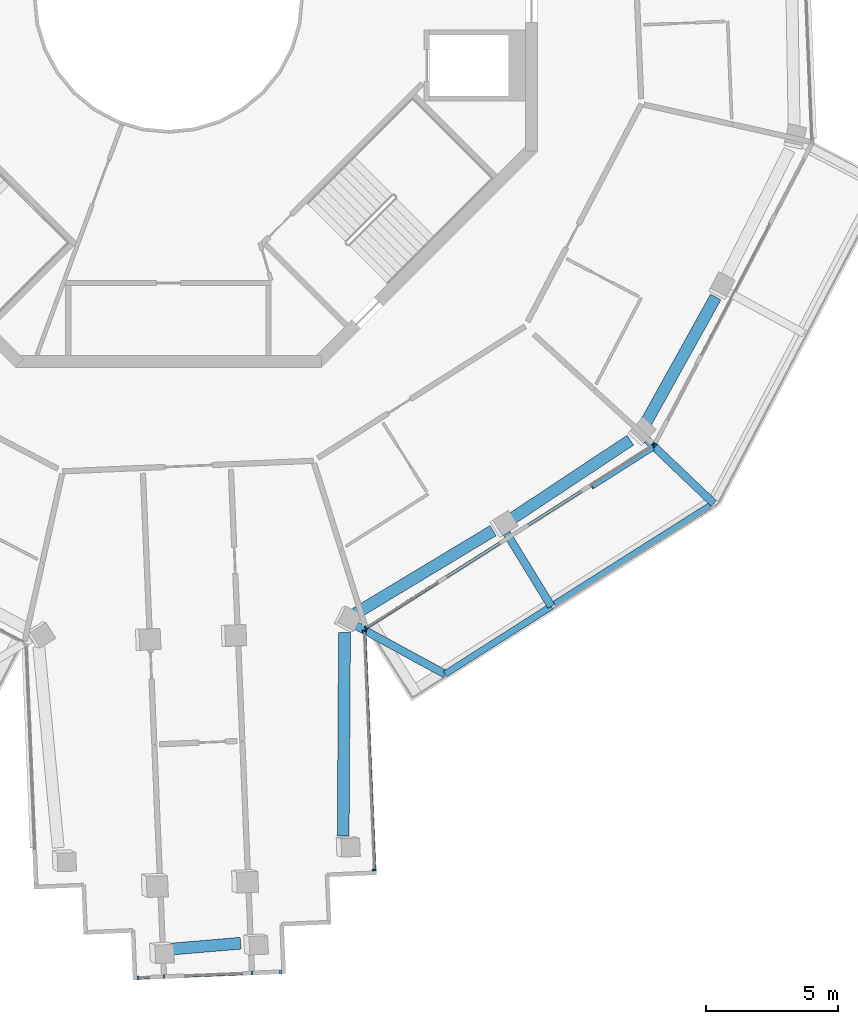
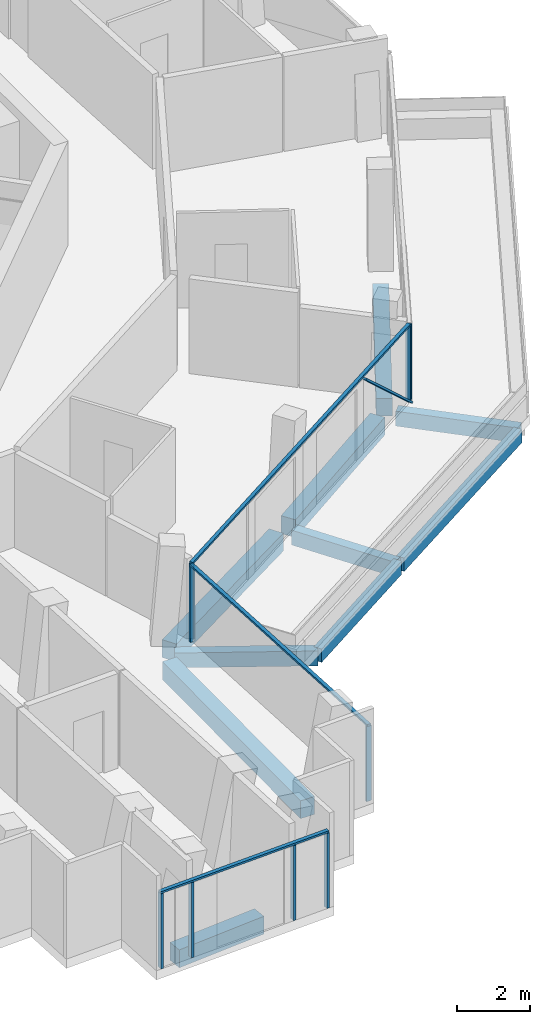
# One storey, part 3 of 23: 13 members, 10 beams, 4 elements without a shape of their own.
"""IFC4 building model written with IfcOpenShell, lengths in metres."""

from ifc_helpers import new_model, si_unit, direction, frame, origin, origin_2d, place, context, subcontext, project, spatial, rectangle, extrude, material, layer, layer_set, material_profile, profile_set, type_object, element, aggregate, save


model = new_model("IFC4")

# Units and contexts
model_context = context("Model", 3, precision=1e-05, world=origin(), true_north=direction((0.0, 1.0)))
body_context = subcontext(model_context, "Body", "Model", "MODEL_VIEW")
ifc_project = project(units=[si_unit("LENGTHUNIT", "METRE"), si_unit("AREAUNIT", "SQUARE_METRE"), si_unit("VOLUMEUNIT", "CUBIC_METRE"), si_unit("PLANEANGLEUNIT", "RADIAN"), si_unit("MASSUNIT", "GRAM", prefix="KILO")], contexts=[model_context])

# Site, building, storey
site_placement = place(None, origin())
site = spatial("IfcSite", under=ifc_project, at=site_placement, CompositionType="ELEMENT")
building_placement = place(site_placement, origin())
building = spatial("IfcBuilding", under=site, at=building_placement, Name="Verdalira Terraces Hotel", CompositionType="ELEMENT")
storey_placement = place(building_placement, frame((0.0, 0.0, 288.0)))
storey = spatial("IfcBuildingStorey", under=building, at=storey_placement, Name="L71", CompositionType="ELEMENT", Elevation=288.0)

# Beams
ifc_material_1 = material(Name="Concrete C40", Category="concrete")
ifc_material_profile_1 = material_profile(ifc_material_1, rectangle(XDim=0.300049, YDim=0.5, at=origin_2d()), Name="RC 300X500")
ifc_profile_set_1 = profile_set([ifc_material_profile_1], Name="Concrete C40")
beam_type_1 = type_object("IfcBeamType", Name="Balcony cantilever beam RC 300X500 C40", PredefinedType="BEAM", material=ifc_profile_set_1)
beam_1_placement = place(storey_placement, frame((7.025146, -23.746094, -0.560059), z_axis=(0.878322746, -0.478068147, 0.0), x_axis=(0.478068147, 0.878322746, 0.0)))
element("IfcBeam", 1, at=beam_1_placement, inside=storey, type_object=beam_type_1, Name="Balcony cantilever beam R25-1", PredefinedType="BEAM", context=body_context, shape_type="SweptSolid", body=[
    extrude(rectangle(XDim=0.300049, YDim=0.5, at=origin_2d()), origin(), (0.0, 0.0, 1.0), 3.950195),
])
beam_2_placement = place(storey_placement, frame((12.82959, -20.29248, -0.560059), z_axis=(0.521568477, -0.853209426, 0.0), x_axis=(0.853209426, 0.521568477, 0.0)))
element("IfcBeam", 2, at=beam_2_placement, inside=storey, type_object=beam_type_1, Name="Balcony cantilever beam R25-2", PredefinedType="BEAM", context=body_context, shape_type="SweptSolid", body=[
    extrude(rectangle(XDim=0.300049, YDim=0.5, at=origin_2d()), origin(), (0.0, 0.0, 1.0), 3.250977),
])
beam_3_placement = place(storey_placement, frame((18.151367, -16.748047, -0.560059), z_axis=(0.724659944, -0.689106643, 0.0), x_axis=(0.689106643, 0.724659944, 0.0)))
element("IfcBeam", 3, at=beam_3_placement, inside=storey, type_object=beam_type_1, Name="Balcony cantilever beam R25-3", PredefinedType="BEAM", context=body_context, shape_type="SweptSolid", body=[
    extrude(rectangle(XDim=0.300049, YDim=0.5, at=origin_2d()), origin(), (0.0, 0.0, 1.0), 3.502197),
])
ifc_material_2 = material(Name="Concrete C40", Category="concrete")
ifc_material_profile_2 = material_profile(ifc_material_2, rectangle(XDim=0.25, YDim=0.449951, at=origin_2d()), Name="RC 250X450")
ifc_profile_set_2 = profile_set([ifc_material_profile_2], Name="Concrete C40")
beam_type_2 = type_object("IfcBeamType", Name="Balcony edge beam RC 250X450 C40", PredefinedType="BEAM", material=ifc_profile_set_2)
beam_4_placement = place(storey_placement, frame((10.494629, -25.634521, -0.534912), z_axis=(0.843331091, 0.537394335, 0.0), x_axis=(-0.537394335, 0.843331091, 0.0)))
element("IfcBeam", 4, at=beam_4_placement, inside=storey, type_object=beam_type_2, Name="Balcony edge beam R25-1", PredefinedType="BEAM", context=body_context, shape_type="SweptSolid", body=[
    extrude(rectangle(XDim=0.25, YDim=0.449951, at=origin_2d()), origin(), (0.0, 0.0, 1.0), 4.779297),
])
beam_5_placement = place(storey_placement, frame((14.651855, -22.98584, -0.534912), z_axis=(0.844769618, 0.535130163, 0.0), x_axis=(-0.535130163, 0.844769618, 0.0)))
element("IfcBeam", 5, at=beam_5_placement, inside=storey, type_object=beam_type_2, Name="Balcony edge beam R25-2", PredefinedType="BEAM", context=body_context, shape_type="SweptSolid", body=[
    extrude(rectangle(XDim=0.25, YDim=0.449951, at=origin_2d()), origin(), (0.0, 0.0, 1.0), 6.992188),
])

# Curtain wall, members
ifc_material_3 = material(Name="Clear glass", Category="glass")
ifc_layer_1 = layer(ifc_material_3, 0.14990234375)
ifc_layer_set_1 = layer_set([ifc_layer_1], Name="CW1 curtain wall")
curtain_wall_type_1 = type_object("IfcCurtainWallType", Name="CW1 curtain wall", PredefinedType="NOTDEFINED", material=ifc_layer_set_1)
curtain_wall_1_placement = place(storey_placement, origin())
curtain_wall_1 = element("IfcCurtainWall", 6, at=curtain_wall_1_placement, inside=storey, type_object=curtain_wall_type_1, Name="CW1 curtain wall L71 edge 25", PredefinedType="NOTDEFINED")
ifc_material_4 = material(Name="Terracotta frame", Category="masonry")
ifc_material_profile_3 = material_profile(ifc_material_4, rectangle(XDim=0.060059, YDim=0.149902, at=origin_2d()), Name="MU 60x150")
ifc_profile_set_3 = profile_set([ifc_material_profile_3], Name="Terracotta frame")
member_type_1 = type_object("IfcMemberType", Name="CW1 mullion 60x150", PredefinedType="MULLION", material=ifc_profile_set_3)
member_1_placement = place(storey_placement, frame((7.495361, -23.885498, 0.0), z_axis=(0.0, 0.0, 1.0), x_axis=(0.844327926, 0.535826795, 0.0)))
member_1 = element("IfcMember", 7, at=member_1_placement, type_object=member_type_1, Name="CW1 mullion", PredefinedType="MULLION", context=body_context, shape_type="SweptSolid", body=[
    extrude(rectangle(XDim=0.060059, YDim=0.149902, at=origin_2d()), origin(), (0.0, 0.0, 1.0), 2.524902),
])
member_2_placement = place(storey_placement, frame((18.386963, -16.973389, 0.0), z_axis=(0.0, 0.0, 1.0), x_axis=(0.844327926, 0.535826795, 0.0)))
member_2 = element("IfcMember", 8, at=member_2_placement, type_object=member_type_1, Name="CW1 mullion", PredefinedType="MULLION", context=body_context, shape_type="SweptSolid", body=[
    extrude(rectangle(XDim=0.060059, YDim=0.149902, at=origin_2d()), origin(), (0.0, 0.0, 1.0), 2.524902),
])

# Curtain wall, member
curtain_wall_2_placement = place(storey_placement, origin())
curtain_wall_2 = element("IfcCurtainWall", 9, at=curtain_wall_2_placement, inside=storey, type_object=curtain_wall_type_1, Name="CW1 curtain wall L71 edge 26", PredefinedType="NOTDEFINED")
member_3_placement = place(storey_placement, frame((18.452393, -16.9021, 0.0), z_axis=(0.0, 0.0, 1.0), x_axis=(0.463296035, 0.886203579, 0.0)))
member_3 = element("IfcMember", 10, at=member_3_placement, type_object=member_type_1, Name="CW1 mullion", PredefinedType="MULLION", context=body_context, shape_type="SweptSolid", body=[
    extrude(rectangle(XDim=0.060059, YDim=0.149902, at=origin_2d()), origin(), (0.0, 0.0, 1.0), 2.524902),
])
aggregate(curtain_wall_2, [member_3])

# Member
ifc_material_5 = material(Name="Terracotta frame", Category="masonry")
ifc_material_profile_4 = material_profile(ifc_material_5, rectangle(XDim=0.110107, YDim=0.064941, at=origin_2d()), Name="TR 65x110")
ifc_profile_set_4 = profile_set([ifc_material_profile_4], Name="Terracotta frame")
member_type_2 = type_object("IfcMemberType", Name="CW1 transom 65x110", PredefinedType="USERDEFINED", material=ifc_profile_set_4)
member_4_placement = place(storey_placement, frame((7.469971, -23.901611, 2.557617), z_axis=(0.844324831, 0.535831671, 0.0), x_axis=(-0.535831671, 0.844324831, 0.0)))
member_4 = element("IfcMember", 11, at=member_4_placement, type_object=member_type_2, Name="CW1 transom", ObjectType="TRANSOM", PredefinedType="USERDEFINED", context=body_context, shape_type="SweptSolid", body=[
    extrude(rectangle(XDim=0.110107, YDim=0.064941, at=origin_2d()), origin(), (0.0, 0.0, 1.0), 12.959961),
])

# Curtain wall, members
ifc_material_6 = material(Name="Clear glass", Category="glass")
ifc_layer_2 = layer(ifc_material_6, 0.14990234375)
ifc_layer_set_2 = layer_set([ifc_layer_2], Name="CW2 curtain wall")
curtain_wall_type_2 = type_object("IfcCurtainWallType", Name="CW2 curtain wall", PredefinedType="NOTDEFINED", material=ifc_layer_set_2)
curtain_wall_3_placement = place(storey_placement, origin())
curtain_wall_3 = element("IfcCurtainWall", 12, at=curtain_wall_3_placement, inside=storey, type_object=curtain_wall_type_2, Name="CW2 curtain wall L71 edge 24", PredefinedType="NOTDEFINED")
ifc_material_7 = material(Name="Terracotta frame", Category="masonry")
ifc_material_profile_5 = material_profile(ifc_material_7, rectangle(XDim=0.070068, YDim=0.149902, at=origin_2d()), Name="MU 70x150")
ifc_profile_set_5 = profile_set([ifc_material_profile_5], Name="Terracotta frame")
member_type_3 = type_object("IfcMemberType", Name="CW2 mullion 70x150", PredefinedType="MULLION", material=ifc_profile_set_5)
member_5_placement = place(storey_placement, frame((7.81665, -33.067383, 0.0), z_axis=(0.0, 0.0, 1.0), x_axis=(-0.041875654, 0.99912283, 0.0)))
member_5 = element("IfcMember", 13, at=member_5_placement, type_object=member_type_3, Name="CW2 mullion", PredefinedType="MULLION", context=body_context, shape_type="SweptSolid", body=[
    extrude(rectangle(XDim=0.070068, YDim=0.149902, at=origin_2d()), origin(), (0.0, 0.0, 1.0), 2.524902),
])
member_6_placement = place(storey_placement, frame((7.436768, -24.00293, 0.0), z_axis=(0.0, 0.0, 1.0), x_axis=(-0.041875654, 0.99912283, 0.0)))
member_6 = element("IfcMember", 14, at=member_6_placement, type_object=member_type_3, Name="CW2 mullion", PredefinedType="MULLION", context=body_context, shape_type="SweptSolid", body=[
    extrude(rectangle(XDim=0.070068, YDim=0.149902, at=origin_2d()), origin(), (0.0, 0.0, 1.0), 2.524902),
])
ifc_material_8 = material(Name="Terracotta frame", Category="masonry")
ifc_material_profile_6 = material_profile(ifc_material_8, rectangle(XDim=0.11499, YDim=0.064941, at=origin_2d()), Name="TR 65x115")
ifc_profile_set_6 = profile_set([ifc_material_profile_6], Name="Terracotta frame")
member_type_4 = type_object("IfcMemberType", Name="CW2 transom 65x115", PredefinedType="USERDEFINED", material=ifc_profile_set_6)
member_7_placement = place(storey_placement, frame((7.818115, -33.102295, 2.557617), z_axis=(-0.041872689, 0.999122954, 0.0), x_axis=(-0.999122954, -0.041872689, 0.0)))
member_7 = element("IfcMember", 15, at=member_7_placement, type_object=member_type_4, Name="CW2 transom", ObjectType="TRANSOM", PredefinedType="USERDEFINED", context=body_context, shape_type="SweptSolid", body=[
    extrude(rectangle(XDim=0.11499, YDim=0.064941, at=origin_2d()), origin(), (0.0, 0.0, 1.0), 9.142334),
])
aggregate(curtain_wall_3, [member_5, member_6, member_7])

ifc_material_9 = material(Name="Clear glass", Category="glass")
ifc_layer_3 = layer(ifc_material_9, 0.14990234375)
ifc_layer_set_3 = layer_set([ifc_layer_3], Name="CW3 curtain wall")
curtain_wall_type_3 = type_object("IfcCurtainWallType", Name="CW3 curtain wall", PredefinedType="NOTDEFINED", material=ifc_layer_set_3)
curtain_wall_4_placement = place(storey_placement, origin())
curtain_wall_4 = element("IfcCurtainWall", 16, at=curtain_wall_4_placement, inside=storey, type_object=curtain_wall_type_3, Name="CW3 curtain wall L71 edge 19", PredefinedType="NOTDEFINED")
ifc_material_10 = material(Name="Terracotta frame", Category="masonry")
ifc_material_profile_7 = material_profile(ifc_material_10, rectangle(XDim=0.080078, YDim=0.149902, at=origin_2d()), Name="MU 80x150")
ifc_profile_set_7 = profile_set([ifc_material_profile_7], Name="Terracotta frame")
member_type_5 = type_object("IfcMemberType", Name="CW3 mullion 80x150", PredefinedType="MULLION", material=ifc_profile_set_7)
member_8_placement = place(storey_placement, frame((-1.155029, -37.156738, 0.0), z_axis=(0.0, 0.0, 1.0), x_axis=(0.99912283, 0.041875654, 0.0)))
member_8 = element("IfcMember", 17, at=member_8_placement, type_object=member_type_5, Name="CW3 mullion", PredefinedType="MULLION", context=body_context, shape_type="SweptSolid", body=[
    extrude(rectangle(XDim=0.080078, YDim=0.149902, at=origin_2d()), origin(), (0.0, 0.0, 1.0), 2.524902),
])
member_9_placement = place(storey_placement, frame((-0.165527, -37.115234, 0.0), z_axis=(0.0, 0.0, 1.0), x_axis=(0.99912283, 0.041875654, 0.0)))
member_9 = element("IfcMember", 18, at=member_9_placement, type_object=member_type_5, Name="CW3 mullion", PredefinedType="MULLION", context=body_context, shape_type="SweptSolid", body=[
    extrude(rectangle(XDim=0.080078, YDim=0.149902, at=origin_2d()), origin(), (0.0, 0.0, 1.0), 2.524902),
])
member_10_placement = place(storey_placement, frame((3.172607, -36.975342, 0.0), z_axis=(0.0, 0.0, 1.0), x_axis=(0.99912283, 0.041875654, 0.0)))
member_10 = element("IfcMember", 19, at=member_10_placement, type_object=member_type_5, Name="CW3 mullion", PredefinedType="MULLION", context=body_context, shape_type="SweptSolid", body=[
    extrude(rectangle(XDim=0.080078, YDim=0.149902, at=origin_2d()), origin(), (0.0, 0.0, 1.0), 2.524902),
])
member_11_placement = place(storey_placement, frame((4.260254, -36.929688, 0.0), z_axis=(0.0, 0.0, 1.0), x_axis=(0.99912283, 0.041875654, 0.0)))
member_11 = element("IfcMember", 20, at=member_11_placement, type_object=member_type_5, Name="CW3 mullion", PredefinedType="MULLION", context=body_context, shape_type="SweptSolid", body=[
    extrude(rectangle(XDim=0.080078, YDim=0.149902, at=origin_2d()), origin(), (0.0, 0.0, 1.0), 2.524902),
])
ifc_material_11 = material(Name="Terracotta frame", Category="masonry")
ifc_material_profile_8 = material_profile(ifc_material_11, rectangle(XDim=0.120117, YDim=0.064941, at=origin_2d()), Name="TR 65x120")
ifc_profile_set_8 = profile_set([ifc_material_profile_8], Name="Terracotta frame")
member_type_6 = type_object("IfcMemberType", Name="CW3 transom 65x120", PredefinedType="USERDEFINED", material=ifc_profile_set_8)
member_12_placement = place(storey_placement, frame((-1.195068, -37.158447, 2.557617), z_axis=(0.99912165, 0.041903805, 0.0), x_axis=(-0.041903805, 0.99912165, 0.0)))
member_12 = element("IfcMember", 21, at=member_12_placement, type_object=member_type_6, Name="CW3 transom", ObjectType="TRANSOM", PredefinedType="USERDEFINED", context=body_context, shape_type="SweptSolid", body=[
    extrude(rectangle(XDim=0.120117, YDim=0.064941, at=origin_2d()), origin(), (0.0, 0.0, 1.0), 5.5),
])
aggregate(curtain_wall_4, [member_8, member_9, member_10, member_11, member_12])

# Member
ifc_material_12 = material(Name="Terracotta frame", Category="masonry")
ifc_material_profile_9 = material_profile(ifc_material_12, rectangle(XDim=0.149902, YDim=0.060059, at=origin_2d()), Name="GB 60x150")
ifc_profile_set_9 = profile_set([ifc_material_profile_9], Name="Terracotta frame")
member_type_7 = type_object("IfcMemberType", Name="Diagonal glazing bar 60x150", PredefinedType="USERDEFINED", material=ifc_profile_set_9)
member_13_placement = place(storey_placement, frame((16.076904, -18.544922, 2.501465), z_axis=(0.625848556, 0.397215093, -0.671218112), x_axis=(-0.535864804, 0.844303803, 0.0)))
member_13 = element("IfcMember", 22, at=member_13_placement, type_object=member_type_7, Name="Diagonal glazing bar", ObjectType="GLAZING BAR", PredefinedType="USERDEFINED", context=body_context, shape_type="SweptSolid", body=[
    extrude(rectangle(XDim=0.149902, YDim=0.060059, at=origin_2d()), origin(), (0.0, 0.0, 1.0), 3.691406),
])

aggregate(curtain_wall_1, [member_1, member_2, member_4, member_13])

# Beams
ifc_material_13 = material(Name="Concrete C40", Category="concrete")
ifc_material_profile_10 = material_profile(ifc_material_13, rectangle(XDim=0.449951, YDim=0.600098, at=origin_2d()), Name="RC 450X600")
ifc_profile_set_10 = profile_set([ifc_material_profile_10], Name="Concrete C40")
beam_type_3 = type_object("IfcBeamType", Name="Spandrel beam RC 450X600 C40", PredefinedType="SPANDREL", material=ifc_profile_set_10)
beam_6_placement = place(storey_placement, frame((-0.093994, -36.082764, -0.610107), z_axis=(0.996504783, 0.083535724, 0.0), x_axis=(-0.083535724, 0.996504783, 0.0)))
element("IfcBeam", 23, at=beam_6_placement, inside=storey, type_object=beam_type_3, Name="Spandrel beam B11", PredefinedType="SPANDREL", context=body_context, shape_type="SweptSolid", body=[
    extrude(rectangle(XDim=0.449951, YDim=0.600098, at=origin_2d()), origin(), (0.0, 0.0, 1.0), 2.84375),
])
beam_7_placement = place(storey_placement, frame((6.629883, -31.773682, -0.610107), z_axis=(0.006616501, 0.999978111, 0.0), x_axis=(-0.999978111, 0.006616501, 0.0)))
element("IfcBeam", 24, at=beam_7_placement, inside=storey, type_object=beam_type_3, Name="Spandrel beam B12", PredefinedType="SPANDREL", context=body_context, shape_type="SweptSolid", body=[
    extrude(rectangle(XDim=0.449951, YDim=0.600098, at=origin_2d()), origin(), (0.0, 0.0, 1.0), 7.711914),
])
beam_8_placement = place(storey_placement, frame((7.093994, -23.34082, -0.610107), z_axis=(0.856495029, 0.516155272, 0.0), x_axis=(-0.516155272, 0.856495029, 0.0)))
element("IfcBeam", 25, at=beam_8_placement, inside=storey, type_object=beam_type_3, Name="Spandrel beam B13", PredefinedType="SPANDREL", context=body_context, shape_type="SweptSolid", body=[
    extrude(rectangle(XDim=0.449951, YDim=0.600098, at=origin_2d()), origin(), (0.0, 0.0, 1.0), 6.097412),
])
beam_9_placement = place(storey_placement, frame((12.92041, -19.812012, -0.610107), z_axis=(0.833807991, 0.552054557, 0.0), x_axis=(-0.552054557, 0.833807991, 0.0)))
element("IfcBeam", 26, at=beam_9_placement, inside=storey, type_object=beam_type_3, Name="Spandrel beam B14", PredefinedType="SPANDREL", context=body_context, shape_type="SweptSolid", body=[
    extrude(rectangle(XDim=0.449951, YDim=0.600098, at=origin_2d()), origin(), (0.0, 0.0, 1.0), 5.521484),
])
beam_10_placement = place(storey_placement, frame((18.081055, -16.159424, -0.610107), z_axis=(0.485410236, 0.874286511, 0.0), x_axis=(-0.874286511, 0.485410236, 0.0)))
element("IfcBeam", 27, at=beam_10_placement, inside=storey, type_object=beam_type_3, Name="Spandrel beam B15", PredefinedType="SPANDREL", context=body_context, shape_type="SweptSolid", body=[
    extrude(rectangle(XDim=0.449951, YDim=0.600098, at=origin_2d()), origin(), (0.0, 0.0, 1.0), 5.523438),
])

save(model, "model.ifc")
